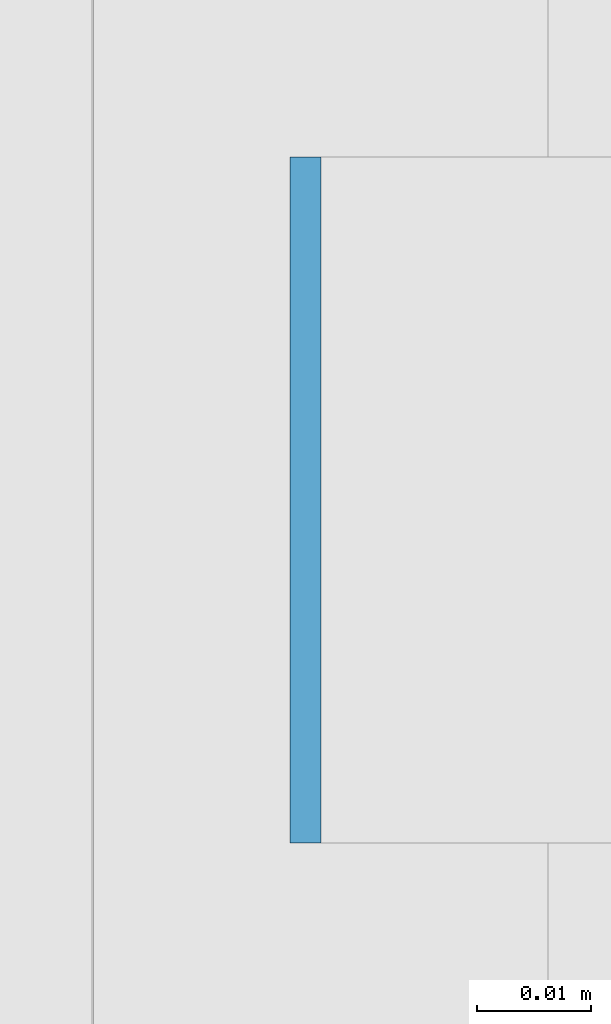
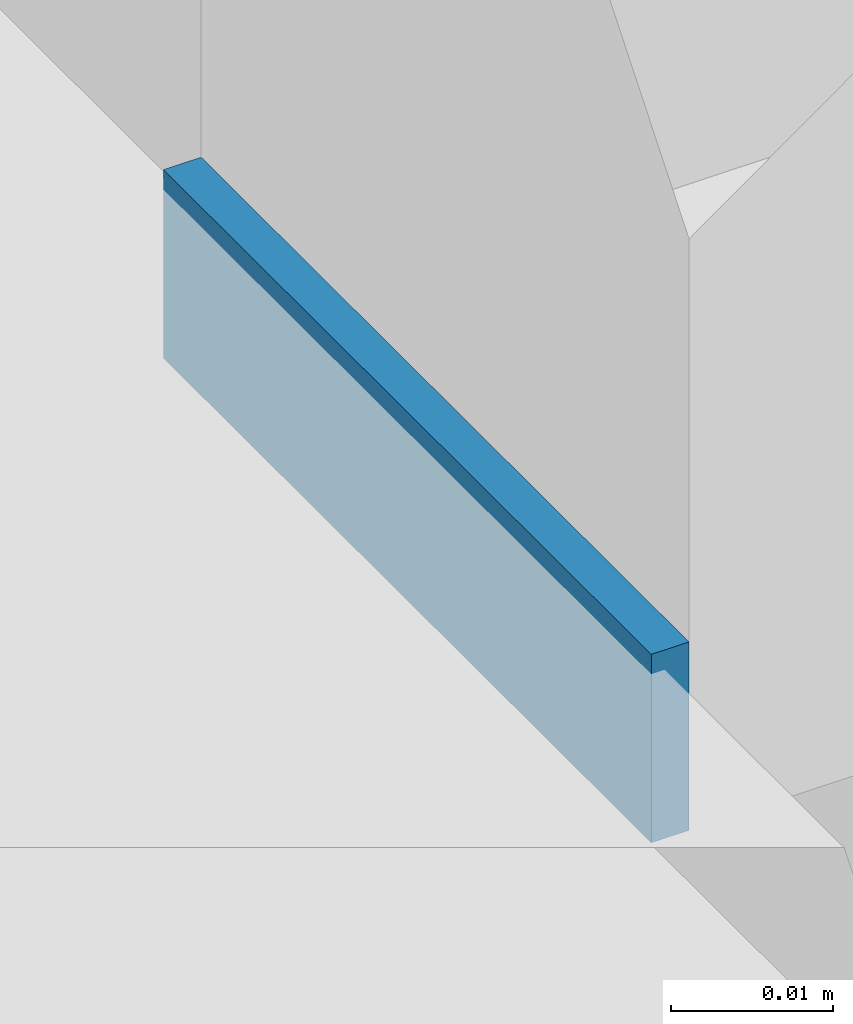
# One storey, part 532 of 646: 1 discrete accessory.
"""IFC4 building model written with IfcOpenShell, lengths in metres."""

from ifc_helpers import new_model, si_unit, direction, frame, origin, origin_2d, place, context, subcontext, project, spatial, rectangle, extrude, material, type_object, element, save


model = new_model("IFC4")

# Units and contexts
model_context = context("Model", 3, precision=1e-05, world=origin(), true_north=direction((0.0, 1.0)))
body_context = subcontext(model_context, "Body", "Model", "MODEL_VIEW")
ifc_project = project(units=[si_unit("LENGTHUNIT", "METRE"), si_unit("AREAUNIT", "SQUARE_METRE"), si_unit("VOLUMEUNIT", "CUBIC_METRE"), si_unit("PLANEANGLEUNIT", "RADIAN"), si_unit("MASSUNIT", "GRAM", prefix="KILO")], contexts=[model_context])

# Site, building, storey
site_placement = place(None, origin())
site = spatial("IfcSite", under=ifc_project, at=site_placement, CompositionType="ELEMENT")
building_placement = place(site_placement, origin())
building = spatial("IfcBuilding", under=site, at=building_placement, Name="Silverbay Arena", CompositionType="ELEMENT")
storey_placement = place(building_placement, frame((0.0, 0.0, 33.5)))
storey = spatial("IfcBuildingStorey", under=building, at=storey_placement, Name="L05", CompositionType="ELEMENT", Elevation=33.5)

# Discrete accessory
ifc_material = material(Name="Steel S355", Category="steel")
discrete_accessory_type = type_object("IfcDiscreteAccessoryType", Name="Steel bracket plate", PredefinedType="BRACKET", material=ifc_material)
discrete_accessory_placement = place(storey_placement, frame((207.128662109375, 84.857177734375, 4.0), z_axis=(0.0, 0.0, 1.0), x_axis=(1.0, 0.0, 0.0)))
element("IfcDiscreteAccessory", 1, at=discrete_accessory_placement, inside=storey, type_object=discrete_accessory_type, Name="Curtain wall packing plate", PredefinedType="BRACKET", context=body_context, shape_type="SweptSolid", body=[
    extrude(rectangle(XDim=0.002685546875, YDim=0.06005859375, at=origin_2d()), origin(), (0.0, 0.0, 1.0), 0.01416015625),
])

save(model, "model.ifc")
